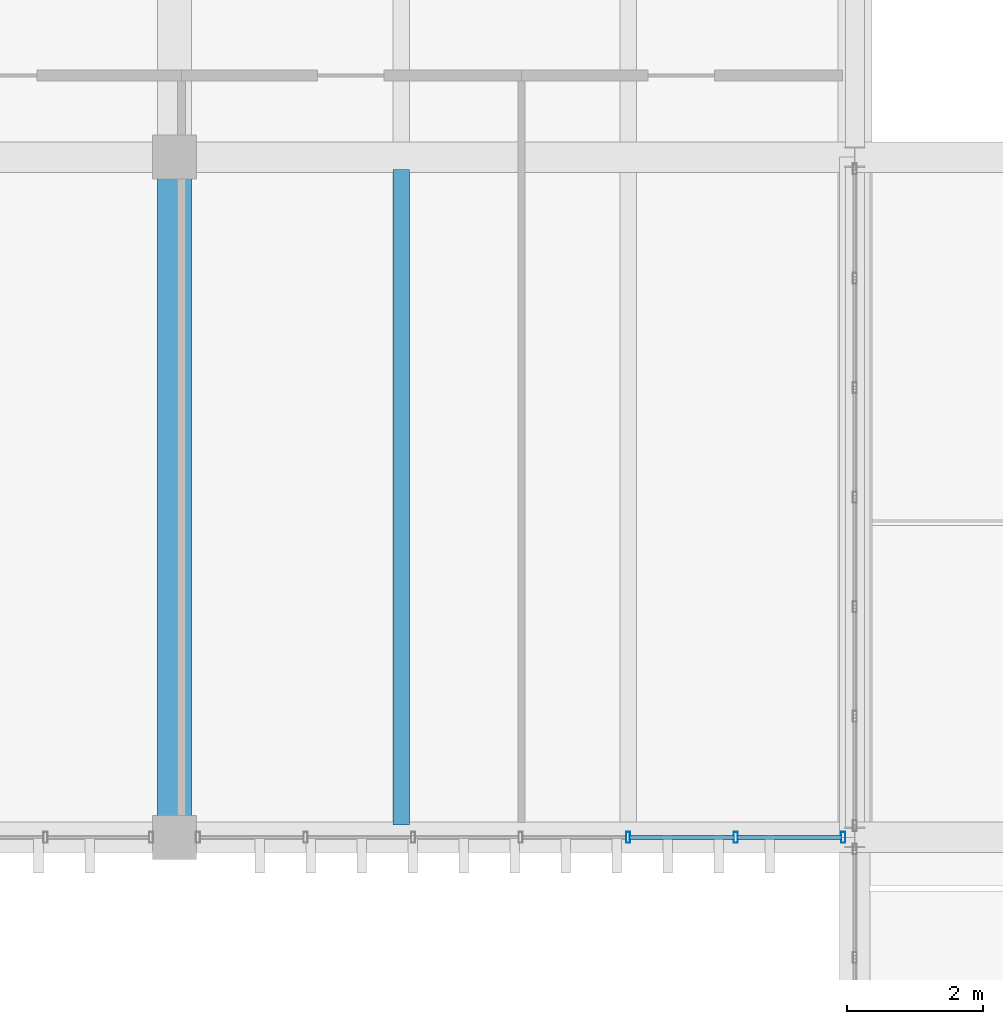
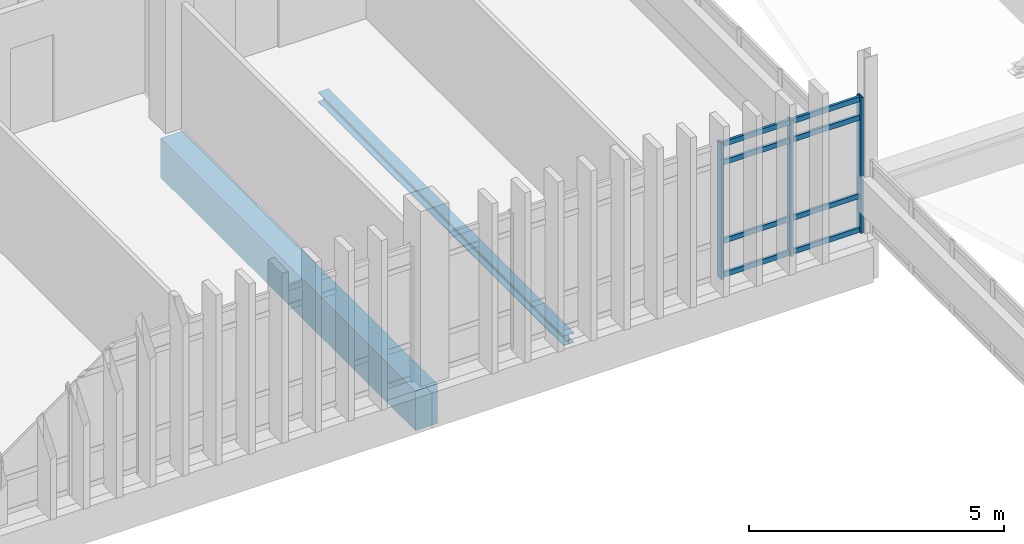
# One storey, part 29 of 82: 11 members, 2 beams, 1 element without a shape of its own.
"""IFC4 building model written with IfcOpenShell, lengths in metres."""

from ifc_helpers import new_model, si_unit, direction, frame, origin, origin_2d, place, context, subcontext, project, spatial, rectangle, hollow_rectangle, i_section, extrude, material, layer, layer_set, material_profile, profile_set, type_object, element, aggregate, save


model = new_model("IFC4")

# Units and contexts
model_context = context("Model", 3, precision=1e-05, world=origin(), true_north=direction((0.0, 1.0)))
body_context = subcontext(model_context, "Body", "Model", "MODEL_VIEW")
ifc_project = project(units=[si_unit("LENGTHUNIT", "METRE"), si_unit("AREAUNIT", "SQUARE_METRE"), si_unit("VOLUMEUNIT", "CUBIC_METRE"), si_unit("PLANEANGLEUNIT", "RADIAN"), si_unit("MASSUNIT", "GRAM", prefix="KILO")], contexts=[model_context])

# Site, building, storey
site_placement = place(None, origin())
site = spatial("IfcSite", under=ifc_project, at=site_placement, CompositionType="ELEMENT")
building_placement = place(site_placement, origin())
building = spatial("IfcBuilding", under=site, at=building_placement, Name="Mersad Railyard Sports Hall", CompositionType="ELEMENT")
storey_placement = place(building_placement, frame((0.0, 0.0, 13.199951171875)))
storey = spatial("IfcBuildingStorey", under=building, at=storey_placement, Name="L03", CompositionType="ELEMENT", Elevation=13.199951171875)

# Curtain wall, members
ifc_material_1 = material(Name="Aluminium 6063-T6", Category="aluminium")
ifc_layer = layer(ifc_material_1, 0.159912109375)
ifc_layer_set = layer_set([ifc_layer], Name="Aluminium 6063-T6")
curtain_wall_type = type_object("IfcCurtainWallType", Name="ARC-CW-CW61", PredefinedType="USERDEFINED", material=ifc_layer_set)
curtain_wall_placement = place(storey_placement, origin())
curtain_wall = element("IfcCurtainWall", 1, at=curtain_wall_placement, inside=storey, type_object=curtain_wall_type, Name="Curtain wall CW61-0161", ObjectType="CURTAIN WALL", PredefinedType="USERDEFINED")
ifc_material_profile_1 = material_profile(ifc_material_1, hollow_rectangle(XDim=0.06005859375, YDim=0.159912109375, WallThickness=0.00390625, at=origin_2d()), Name="AL MULLION 60x160x4")
ifc_profile_set_1 = profile_set([ifc_material_profile_1], Name="Aluminium 6063-T6")
member_type_1 = type_object("IfcMemberType", Name="ARC-CW-MUL01", PredefinedType="MULLION", material=ifc_profile_set_1)
member_1_placement = place(storey_placement, frame((130.830078125, 85.0, -0.02001953125), z_axis=(0.0, 0.0, 1.0), x_axis=(1.0, 0.0, 0.0)))
member_1 = element("IfcMember", 2, at=member_1_placement, type_object=member_type_1, Name="CW61 Mullion 1", PredefinedType="MULLION", context=body_context, shape_type="SweptSolid", body=[
    extrude(hollow_rectangle(XDim=0.06005859375, YDim=0.159912109375, WallThickness=0.00390625, at=origin_2d()), origin(), (0.0, 0.0, 1.0), 3.25),
])
member_2_placement = place(storey_placement, frame((129.249267578125, 85.0, -0.02001953125), z_axis=(0.0, 0.0, 1.0), x_axis=(1.0, 0.0, 0.0)))
member_2 = element("IfcMember", 3, at=member_2_placement, type_object=member_type_1, Name="CW61 Mullion 2", PredefinedType="MULLION", context=body_context, shape_type="SweptSolid", body=[
    extrude(hollow_rectangle(XDim=0.06005859375, YDim=0.159912109375, WallThickness=0.00390625, at=origin_2d()), origin(), (0.0, 0.0, 1.0), 3.25),
])
member_3_placement = place(storey_placement, frame((127.668212890625, 85.0, -0.02001953125), z_axis=(0.0, 0.0, 1.0), x_axis=(1.0, 0.0, 0.0)))
member_3 = element("IfcMember", 4, at=member_3_placement, type_object=member_type_1, Name="CW61 Mullion 3", PredefinedType="MULLION", context=body_context, shape_type="SweptSolid", body=[
    extrude(hollow_rectangle(XDim=0.06005859375, YDim=0.159912109375, WallThickness=0.00390625, at=origin_2d()), origin(), (0.0, 0.0, 1.0), 3.25),
])
ifc_material_profile_2 = material_profile(ifc_material_1, hollow_rectangle(XDim=0.06005859375, YDim=0.1201171875, WallThickness=0.00390625, at=origin_2d()), Name="AL TRANSOM 60x120x4")
ifc_profile_set_2 = profile_set([ifc_material_profile_2], Name="Aluminium 6063-T6")
member_type_2 = type_object("IfcMemberType", Name="ARC-CW-TRN01", PredefinedType="USERDEFINED", material=ifc_profile_set_2)
member_4_placement = place(storey_placement, frame((130.81005859375, 85.0, 0.0400390625), z_axis=(-1.0, 0.0, 0.0), x_axis=(0.0, -1.0, 0.0)))
member_4 = element("IfcMember", 5, at=member_4_placement, type_object=member_type_2, Name="CW61 Transom 1-1", ObjectType="TRANSOM", PredefinedType="USERDEFINED", context=body_context, shape_type="SweptSolid", body=[
    extrude(hollow_rectangle(XDim=0.06005859375, YDim=0.1201171875, WallThickness=0.00390625, at=origin_2d()), origin(), (0.0, 0.0, 1.0), 1.540771484375),
])
member_5_placement = place(storey_placement, frame((129.229248046875, 85.0, 0.0400390625), z_axis=(-1.0, 0.0, 0.0), x_axis=(0.0, -1.0, 0.0)))
member_5 = element("IfcMember", 6, at=member_5_placement, type_object=member_type_2, Name="CW61 Transom 1-2", ObjectType="TRANSOM", PredefinedType="USERDEFINED", context=body_context, shape_type="SweptSolid", body=[
    extrude(hollow_rectangle(XDim=0.06005859375, YDim=0.1201171875, WallThickness=0.00390625, at=origin_2d()), origin(), (0.0, 0.0, 1.0), 1.541015625),
])
member_6_placement = place(storey_placement, frame((130.81005859375, 85.0, 0.85009765625), z_axis=(-1.0, 0.0, 0.0), x_axis=(0.0, -1.0, 0.0)))
member_6 = element("IfcMember", 7, at=member_6_placement, type_object=member_type_2, Name="CW61 Transom 2-1", ObjectType="TRANSOM", PredefinedType="USERDEFINED", context=body_context, shape_type="SweptSolid", body=[
    extrude(hollow_rectangle(XDim=0.06005859375, YDim=0.1201171875, WallThickness=0.00390625, at=origin_2d()), origin(), (0.0, 0.0, 1.0), 1.540771484375),
])
member_7_placement = place(storey_placement, frame((129.229248046875, 85.0, 0.85009765625), z_axis=(-1.0, 0.0, 0.0), x_axis=(0.0, -1.0, 0.0)))
member_7 = element("IfcMember", 8, at=member_7_placement, type_object=member_type_2, Name="CW61 Transom 2-2", ObjectType="TRANSOM", PredefinedType="USERDEFINED", context=body_context, shape_type="SweptSolid", body=[
    extrude(hollow_rectangle(XDim=0.06005859375, YDim=0.1201171875, WallThickness=0.00390625, at=origin_2d()), origin(), (0.0, 0.0, 1.0), 1.541015625),
])
member_8_placement = place(storey_placement, frame((130.81005859375, 85.0, 2.72998046875), z_axis=(-1.0, 0.0, 0.0), x_axis=(0.0, -1.0, 0.0)))
member_8 = element("IfcMember", 9, at=member_8_placement, type_object=member_type_2, Name="CW61 Transom 3-1", ObjectType="TRANSOM", PredefinedType="USERDEFINED", context=body_context, shape_type="SweptSolid", body=[
    extrude(hollow_rectangle(XDim=0.06005859375, YDim=0.1201171875, WallThickness=0.00390625, at=origin_2d()), origin(), (0.0, 0.0, 1.0), 1.540771484375),
])
member_9_placement = place(storey_placement, frame((129.229248046875, 85.0, 2.72998046875), z_axis=(-1.0, 0.0, 0.0), x_axis=(0.0, -1.0, 0.0)))
member_9 = element("IfcMember", 10, at=member_9_placement, type_object=member_type_2, Name="CW61 Transom 3-2", ObjectType="TRANSOM", PredefinedType="USERDEFINED", context=body_context, shape_type="SweptSolid", body=[
    extrude(hollow_rectangle(XDim=0.06005859375, YDim=0.1201171875, WallThickness=0.00390625, at=origin_2d()), origin(), (0.0, 0.0, 1.0), 1.541015625),
])
member_10_placement = place(storey_placement, frame((130.81005859375, 85.0, 3.170166015625), z_axis=(-1.0, 0.0, 0.0), x_axis=(0.0, -1.0, 0.0)))
member_10 = element("IfcMember", 11, at=member_10_placement, type_object=member_type_2, Name="CW61 Transom 4-1", ObjectType="TRANSOM", PredefinedType="USERDEFINED", context=body_context, shape_type="SweptSolid", body=[
    extrude(hollow_rectangle(XDim=0.06005859375, YDim=0.1201171875, WallThickness=0.00390625, at=origin_2d()), origin(), (0.0, 0.0, 1.0), 1.540771484375),
])
member_11_placement = place(storey_placement, frame((129.229248046875, 85.0, 3.170166015625), z_axis=(-1.0, 0.0, 0.0), x_axis=(0.0, -1.0, 0.0)))
member_11 = element("IfcMember", 12, at=member_11_placement, type_object=member_type_2, Name="CW61 Transom 4-2", ObjectType="TRANSOM", PredefinedType="USERDEFINED", context=body_context, shape_type="SweptSolid", body=[
    extrude(hollow_rectangle(XDim=0.06005859375, YDim=0.1201171875, WallThickness=0.00390625, at=origin_2d()), origin(), (0.0, 0.0, 1.0), 1.541015625),
])
aggregate(curtain_wall, [member_1, member_2, member_3, member_4, member_5, member_6, member_7, member_8, member_9, member_10, member_11])

# Beams
ifc_material_2 = material(Name="Concrete C50/60", Category="concrete")
ifc_material_profile_3 = material_profile(ifc_material_2, rectangle(XDim=0.5, YDim=0.949951171875, at=origin_2d()), Name="RC 500x950")
ifc_profile_set_3 = profile_set([ifc_material_profile_3], Name="Concrete C50/60")
beam_type_1 = type_object("IfcBeamType", Name="STR-BM-B03", PredefinedType="BEAM", material=ifc_profile_set_3)
beam_1_placement = place(storey_placement, frame((121.0, 85.0, -0.794921875), z_axis=(0.0, 1.0, 0.0), x_axis=(-1.0, 0.0, 0.0)))
element("IfcBeam", 13, at=beam_1_placement, inside=storey, type_object=beam_type_1, Name="Beam B03-1265", PredefinedType="BEAM", context=body_context, shape_type="SweptSolid", body=[
    extrude(rectangle(XDim=0.5, YDim=0.949951171875, at=origin_2d()), origin(), (0.0, 0.0, 1.0), 10.0),
])
ifc_material_3 = material(Name="Steel S355", Category="steel")
ifc_material_profile_4 = material_profile(ifc_material_3, i_section(OverallWidth=0.239990234375, OverallDepth=0.239990234375, WebThickness=0.010009765625, FlangeThickness=0.01708984375, at=origin_2d()), Name="HEB 240")
ifc_profile_set_4 = profile_set([ifc_material_profile_4], Name="Steel S355")
beam_type_2 = type_object("IfcBeamType", Name="STR-BM-SB04", PredefinedType="BEAM", material=ifc_profile_set_4)
beam_2_placement = place(storey_placement, frame((124.3330078125, 85.179931640625, -0.43994140625), z_axis=(0.0, 1.0, 0.0), x_axis=(-1.0, 0.0, 0.0)))
element("IfcBeam", 14, at=beam_2_placement, inside=storey, type_object=beam_type_2, Name="Beam SB04-1308", PredefinedType="BEAM", context=body_context, shape_type="SweptSolid", body=[
    extrude(i_section(OverallWidth=0.239990234375, OverallDepth=0.239990234375, WebThickness=0.010009765625, FlangeThickness=0.01708984375, at=origin_2d()), origin(), (0.0, 0.0, 1.0), 9.64013671875),
])

save(model, "model.ifc")
